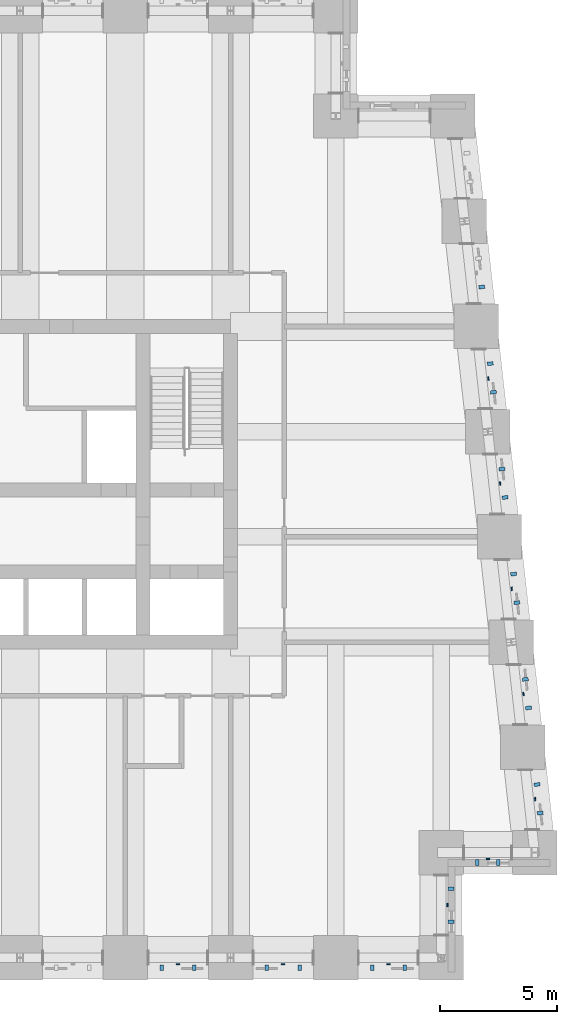
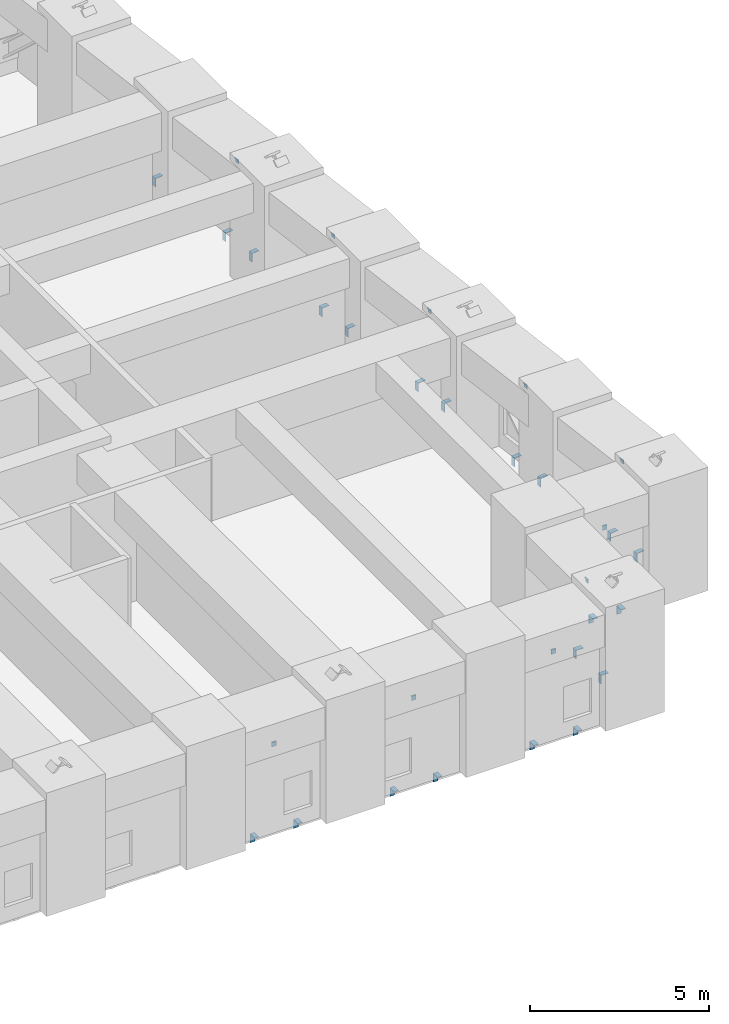
# One storey, part 12 of 16: 31 discrete accessories.
"""IFC4 building model written with IfcOpenShell, lengths in metres."""

import ifcopenshell
import ifcopenshell.guid

model = None  # the IFC model being written
_history = None  # IfcOwnerHistory: only IFC2X3 demands one
_inside = {}  # id of a spatial element -> (the spatial element, [elements in it])
_under = {}  # id of a project, library or spatial element -> (it, [spatial elements below it])
_declared = {}  # id of a project -> (the project, [libraries it declares])
_typed = {}  # id of a type object -> (the type object, [elements of that type])
_made_of = {}  # id of a material, layer set ... -> (it, [elements and type objects made of it])


def new_model(schema):
    """Start an empty IFC model of exactly this schema.

    Asked for "IFC4X3", IfcOpenShell would pick the latest addendum, in which some entities
    have other attributes; the version numbers below select the first issue.
    IFC2X3 requires an IfcOwnerHistory on every rooted entity: one is made here for all.
    """
    global model, _history
    if schema == "IFC4X3":
        model = ifcopenshell.file(schema_version=(4, 3, 0, 0))
    else:
        model = ifcopenshell.file(schema=schema)
    _inside.clear()
    _under.clear()
    _declared.clear()
    _typed.clear()
    _made_of.clear()
    _history = None
    if model.schema == "IFC2X3":
        org = make("IfcOrganization", Name="unknown")
        user = make(
            "IfcPersonAndOrganization",
            ThePerson=make("IfcPerson", FamilyName="unknown"),
            TheOrganization=org,
        )
        app = make(
            "IfcApplication",
            ApplicationDeveloper=org,
            Version="unknown",
            ApplicationFullName="unknown",
            ApplicationIdentifier="unknown",
        )
        _history = make(
            "IfcOwnerHistory",
            OwningUser=user,
            OwningApplication=app,
            ChangeAction="ADDED",
            CreationDate=0,
        )
    return model


def make(cls, **values):
    """One entity of the class cls with the attributes given. An attribute that is None is left unset."""
    return model.create_entity(
        cls, **{name: value for name, value in values.items() if value is not None}
    )


def rooted(cls, **values):
    """An entity with a GlobalId (a new one), such as an element, a storey or a relation."""
    return make(cls, GlobalId=ifcopenshell.guid.new(), OwnerHistory=_history, **values)


def si_unit(unit_type, name, prefix=None):
    """IfcSIUnit, for example si_unit("LENGTHUNIT", "METRE", prefix="MILLI")."""
    return make("IfcSIUnit", UnitType=unit_type, Prefix=prefix, Name=name)


def assignment(units):
    """IfcUnitAssignment: the units of a project."""
    return None if units is None else make("IfcUnitAssignment", Units=units)


def point(xyz):
    """IfcCartesianPoint."""
    return None if xyz is None else make("IfcCartesianPoint", Coordinates=xyz)


def direction(xyz):
    """IfcDirection."""
    return None if xyz is None else make("IfcDirection", DirectionRatios=xyz)


def frame(location, z_axis=None, x_axis=None):
    """IfcAxis2Placement3D, a coordinate frame: its origin and axes. An axis left out is left unset."""
    return make(
        "IfcAxis2Placement3D",
        Location=point(location),
        Axis=direction(z_axis),
        RefDirection=direction(x_axis),
    )


def origin():
    """The frame at (0, 0, 0) with its axes left unset."""
    return frame((0.0, 0.0, 0.0))


def place(relative_to, where):
    """IfcLocalPlacement: puts the frame where relative to a parent placement (None: the world)."""
    return make(
        "IfcLocalPlacement", PlacementRelTo=relative_to, RelativePlacement=where
    )


def context(
    kind, dimensions, precision=None, world=None, true_north=None, identifier=None
):
    """IfcGeometricRepresentationContext, for example the 3D "Model" context."""
    return make(
        "IfcGeometricRepresentationContext",
        ContextIdentifier=identifier,
        ContextType=kind,
        CoordinateSpaceDimension=dimensions,
        Precision=precision,
        WorldCoordinateSystem=world,
        TrueNorth=true_north,
    )


def subcontext(parent, identifier, kind, view, scale=None):
    """IfcGeometricRepresentationSubContext, for example "Body" below "Model"."""
    return make(
        "IfcGeometricRepresentationSubContext",
        ContextIdentifier=identifier,
        ContextType=kind,
        ParentContext=parent,
        TargetScale=scale,
        TargetView=view,
    )


def project(units=None, contexts=None):
    """IfcProject with its units and contexts."""
    return rooted(
        "IfcProject",
        Name="project",
        RepresentationContexts=contexts,
        UnitsInContext=assignment(units),
    )


def spatial(cls, under=None, at=None, **own):
    """A site, building, storey or space (cls), placed at a placement, below another one or the project."""
    s = rooted(cls, ObjectPlacement=at, **own)
    if under is not None:
        _under.setdefault(under.id(), (under, []))[1].append(s)
    return s


def polyline(points):
    """IfcPolyline through the points."""
    return make("IfcPolyline", Points=[point(p) for p in points])


def outline(outer, holes=None, kind="AREA"):
    """IfcArbitraryClosedProfileDef: a profile drawn as a closed curve; with holes, ...WithVoids."""
    if holes is None:
        return make("IfcArbitraryClosedProfileDef", ProfileType=kind, OuterCurve=outer)
    return make(
        "IfcArbitraryProfileDefWithVoids",
        ProfileType=kind,
        OuterCurve=outer,
        InnerCurves=holes,
    )


def extrude(swept, where, along, depth):
    """IfcExtrudedAreaSolid: the profile swept, set in the frame where, extruded along a direction by depth."""
    return make(
        "IfcExtrudedAreaSolid",
        SweptArea=swept,
        Position=where,
        ExtrudedDirection=direction(along),
        Depth=depth,
    )


def shape(context_of_items, identifier, shape_type, items):
    """IfcShapeRepresentation: the items that make up one representation, for example the "Body"."""
    return make(
        "IfcShapeRepresentation",
        ContextOfItems=context_of_items,
        RepresentationIdentifier=identifier,
        RepresentationType=shape_type,
        Items=items,
    )


def source(mapping_origin, context_of_items, identifier, shape_type, items):
    """IfcRepresentationMap: a shape defined once, which mapped items show again and again."""
    return make(
        "IfcRepresentationMap",
        MappingOrigin=mapping_origin,
        MappedRepresentation=shape(context_of_items, identifier, shape_type, items),
    )


def transform(
    local_origin,
    x_axis=None,
    y_axis=None,
    z_axis=None,
    scale=None,
    scale2=None,
    scale3=None,
    uniform=True,
):
    """IfcCartesianTransformationOperator3D, or its non-uniform kind. x_axis, y_axis, z_axis: its Axis1, 2, 3."""
    if uniform:
        return make(
            "IfcCartesianTransformationOperator3D",
            Axis1=direction(x_axis),
            Axis2=direction(y_axis),
            LocalOrigin=point(local_origin),
            Scale=scale,
            Axis3=direction(z_axis),
        )
    return make(
        "IfcCartesianTransformationOperator3DnonUniform",
        Axis1=direction(x_axis),
        Axis2=direction(y_axis),
        LocalOrigin=point(local_origin),
        Scale=scale,
        Axis3=direction(z_axis),
        Scale2=scale2,
        Scale3=scale3,
    )


def mapped(mapping_source, mapping_target):
    """IfcMappedItem: shows the shape of a source again, moved by a transform."""
    return make(
        "IfcMappedItem", MappingSource=mapping_source, MappingTarget=mapping_target
    )


def material(Name=None, Category=None):
    """IfcMaterial."""
    return make("IfcMaterial", Name=Name, Category=Category)


def layer(
    of_material, thickness, ventilated=None, Name=None, Category=None, Priority=None
):
    """IfcMaterialLayer: one layer of a wall or slab, of a material (None: an air gap)."""
    return make(
        "IfcMaterialLayer",
        Material=of_material,
        LayerThickness=thickness,
        IsVentilated=ventilated,
        Name=Name,
        Category=Category,
        Priority=Priority,
    )


def layer_set(layers, Name=None):
    """IfcMaterialLayerSet."""
    return make("IfcMaterialLayerSet", MaterialLayers=layers, LayerSetName=Name)


def made_of(thing, what):
    """Note that an element or type object is made of a material, layer set ...; save() writes the relation."""
    if what is not None:
        _made_of.setdefault(what.id(), (what, []))[1].append(thing)
    return thing


def type_object(cls, material=None, **own):
    """A type object (cls), such as IfcWallType, which elements share."""
    return made_of(rooted(cls, **own), material)


def element(
    cls,
    number,
    at=None,
    inside=None,
    cuts=None,
    type_object=None,
    material=None,
    context=None,
    identifier="Body",
    shape_type=None,
    held_by="IfcProductDefinitionShape",
    body=None,
    shapes=None,
    **own,
):
    """One element of the class cls, such as IfcWall. Its Tag is "e" and its number.

    at: its placement. inside: the storey or other place that contains it. cuts: it is an
    opening in that element (IfcRelVoidsElement). A single representation is given by context,
    identifier, shape_type and body (its items); several are given by shapes. held_by: the class
    of the entity that holds the representations. save() writes the other relations.
    """
    e = rooted(cls, Tag="e%d" % number, ObjectPlacement=at, **own)
    if body is not None:
        shapes = [shape(context, identifier, shape_type, body)]
    if shapes is not None:
        e.Representation = make(held_by, Representations=shapes)
    if inside is not None:
        _inside.setdefault(inside.id(), (inside, []))[1].append(e)
    if cuts is not None:
        rooted(
            "IfcRelVoidsElement", RelatingBuildingElement=cuts, RelatedOpeningElement=e
        )
    if type_object is not None:
        _typed.setdefault(type_object.id(), (type_object, []))[1].append(e)
    return made_of(e, material)


def aggregate(whole, parts):
    """IfcRelAggregates: a whole, such as a stair, and the parts it consists of."""
    return rooted("IfcRelAggregates", RelatingObject=whole, RelatedObjects=parts)


def save(model, path):
    """Write the relations noted so far, then the file.

    IfcRelAggregates (storeys below a building ...), IfcRelContainedInSpatialStructure (elements
    in a storey), IfcRelDefinesByType, IfcRelAssociatesMaterial and IfcRelDeclares: one each for
    every whole, place, type object, material and project.
    """
    for whole, parts in _under.values():
        aggregate(whole, parts)
    for where, things in _inside.values():
        rooted(
            "IfcRelContainedInSpatialStructure",
            RelatedElements=things,
            RelatingStructure=where,
        )
    for kind, things in _typed.values():
        rooted("IfcRelDefinesByType", RelatedObjects=things, RelatingType=kind)
    for what, things in _made_of.values():
        rooted("IfcRelAssociatesMaterial", RelatedObjects=things, RelatingMaterial=what)
    for by, libraries in _declared.values():
        rooted("IfcRelDeclares", RelatingContext=by, RelatedDefinitions=libraries)
    model.write(path)


model = new_model("IFC4")

# Units and contexts
model_context = context("Model", 3, precision=1e-05, world=origin(), true_north=direction((0.0, 1.0)))
body_context = subcontext(model_context, "Body", "Model", "MODEL_VIEW")
ifc_project = project(units=[si_unit("LENGTHUNIT", "METRE"), si_unit("AREAUNIT", "SQUARE_METRE"), si_unit("VOLUMEUNIT", "CUBIC_METRE"), si_unit("PLANEANGLEUNIT", "RADIAN"), si_unit("MASSUNIT", "GRAM", prefix="KILO")], contexts=[model_context])

# Site, building, storey
site_placement = place(None, origin())
site = spatial("IfcSite", under=ifc_project, at=site_placement, CompositionType="ELEMENT")
building_placement = place(site_placement, origin())
building = spatial("IfcBuilding", under=site, at=building_placement, Name="Kilele Tower Hotel", CompositionType="ELEMENT")
storey_placement = place(building_placement, frame((0.0, 0.0, 85.699951171875)))
storey = spatial("IfcBuildingStorey", under=building, at=storey_placement, Name="L21", CompositionType="ELEMENT", Elevation=85.699951171875)

# Discrete accessories
ifc_material_1 = material(Name="Hot-dip galvanized steel S355", Category="steel")
ifc_layer_1 = layer(ifc_material_1, 0.014892578125)
ifc_layer_set_1 = layer_set([ifc_layer_1], Name="Hot-dip galvanized steel S355")
discrete_accessory_type_1 = type_object("IfcDiscreteAccessoryType", Name="Facade panel bearing bracket 250x150x15", PredefinedType="BRACKET", material=ifc_layer_set_1)
shared_shape_1 = source(origin(), body_context, "Body", "SweptSolid", [
    extrude(outline(polyline([(0.0, 0.0), (0.25, 0.0), (0.25, -0.014892578125), (0.014892578125, -0.014892578125), (0.014892578125, -0.300048828125), (0.0, -0.300048828125), (0.0, 0.0)])), origin(), (0.0, 0.0, 1.0), 0.14990234375),
])
for number, where, z_axis, x_axis, name in (
    (1, (33.125, -0.300048828125, 0.0), (-1.0, 0.0, 0.0), (0.0, -1.0, 0.0), "Facade panel bearing bracket L21"),
    (2, (34.52490234375, -0.300048828125, 0.0), (-1.0, 0.0, 0.0), (0.0, -1.0, 0.0), "Facade panel bearing bracket L21"),
    (3, (37.625, -0.300048828125, 0.0), (-1.0, 0.0, 0.0), (0.0, -1.0, 0.0), "Facade panel bearing bracket L21"),
    (4, (39.02490234375, -0.300048828125, 0.0), (-1.0, 0.0, 0.0), (0.0, -1.0, 0.0), "Facade panel bearing bracket L21"),
    (5, (42.125, -0.300048828125, 0.0), (-1.0, 0.0, 0.0), (0.0, -1.0, 0.0), "Facade panel bearing bracket L21"),
    (6, (43.52490234375, -0.300048828125, 0.0), (-1.0, 0.0, 0.0), (0.0, -1.0, 0.0), "Facade panel bearing bracket L21"),
    (7, (45.300048828125, 1.625, 0.0), (0.0, -1.0, 0.0), (1.0, 0.0, 0.0), "Facade panel bearing bracket L21"),
    (8, (45.300048828125, 3.02490234375, 0.0), (0.0, -1.0, 0.0), (1.0, 0.0, 0.0), "Facade panel bearing bracket L21"),
    (9, (46.625, 4.199951171875, 0.0), (-1.0, 0.0, 0.0), (0.0, -1.0, 0.0), "Facade panel bearing bracket L21"),
    (10, (47.52490234375, 4.199951171875, 0.0), (-1.0, 0.0, 0.0), (0.0, -1.0, 0.0), "Facade panel bearing bracket L21"),
    (11, (49.10791015625, 6.24658203125, 0.0), (0.110432, -0.993884, 0.0), (0.993884, 0.110432, 0.0), "Facade panel bearing bracket L21"),
    (12, (48.971923828125, 7.46875, 0.0), (0.110432, -0.993884, 0.0), (0.993884, 0.110432, 0.0), "Facade panel bearing bracket L21"),
    (13, (48.60791015625, 10.74658203125, 0.0), (0.110432, -0.993884, 0.0), (0.993884, 0.110432, 0.0), "Facade panel bearing bracket L21"),
    (14, (48.471923828125, 11.96875, 0.0), (0.110432, -0.993884, 0.0), (0.993884, 0.110432, 0.0), "Facade panel bearing bracket L21"),
    (15, (48.10791015625, 15.24658203125, 0.0), (0.110432, -0.993884, 0.0), (0.993884, 0.110432, 0.0), "Facade panel bearing bracket L21"),
    (16, (47.971923828125, 16.46875, 0.0), (0.110432, -0.993884, 0.0), (0.993884, 0.110432, 0.0), "Facade panel bearing bracket L21"),
    (17, (47.60791015625, 19.74658203125, 0.0), (0.110432, -0.993884, 0.0), (0.993884, 0.110432, 0.0), "Facade panel bearing bracket L21"),
    (18, (47.471923828125, 20.96875, 0.0), (0.110432, -0.993884, 0.0), (0.993884, 0.110432, 0.0), "Facade panel bearing bracket L21"),
    (19, (47.10791015625, 24.24658203125, 0.0), (0.110432, -0.993884, 0.0), (0.993884, 0.110432, 0.0), "Facade panel bearing bracket L21"),
    (20, (46.971923828125, 25.46875, 0.0), (0.110432, -0.993884, 0.0), (0.993884, 0.110432, 0.0), "Facade panel bearing bracket L21"),
    (21, (46.60791015625, 28.74658203125, 0.0), (0.110432, -0.993884, 0.0), (0.993884, 0.110432, 0.0), "Facade panel bearing bracket L21"),
):
    element("IfcDiscreteAccessory", number, at=place(storey_placement, frame(where, z_axis=z_axis, x_axis=x_axis)), inside=storey, type_object=discrete_accessory_type_1, Name=name, PredefinedType="BRACKET", context=body_context, shape_type="MappedRepresentation", body=[
        mapped(shared_shape_1, transform((0.0, 0.0, 0.0))),
    ])
ifc_material_2 = material(Name="Hot-dip galvanized steel S355", Category="steel")
ifc_layer_2 = layer(ifc_material_2, 0.011962890625)
ifc_layer_set_2 = layer_set([ifc_layer_2], Name="Hot-dip galvanized steel S355")
discrete_accessory_type_2 = type_object("IfcDiscreteAccessoryType", Name="Facade panel restraint bracket 150x50x12", PredefinedType="BRACKET", material=ifc_layer_set_2)
shared_shape_2 = source(origin(), body_context, "Body", "SweptSolid", [
    extrude(outline(polyline([(0.0, 0.0), (0.0, -0.14990234375), (-0.011962890625, -0.14990234375), (-0.011962890625, -0.011962890625), (-0.050048828125, -0.011962890625), (-0.050048828125, 0.0), (0.0, 0.0)])), origin(), (0.0, 0.0, 1.0), 0.14990234375),
])
for number, where, z_axis, x_axis, name in (
    (22, (33.824951171875, -0.300048828125, 2.85009765625), (-1.0, 0.0, 0.0), (0.0, -1.0, 0.0), "Facade panel restraint bracket L21"),
    (23, (38.324951171875, -0.300048828125, 2.85009765625), (-1.0, 0.0, 0.0), (0.0, -1.0, 0.0), "Facade panel restraint bracket L21"),
    (24, (42.824951171875, -0.300048828125, 2.85009765625), (-1.0, 0.0, 0.0), (0.0, -1.0, 0.0), "Facade panel restraint bracket L21"),
    (25, (45.300048828125, 2.324951171875, 2.85009765625), (0.0, -1.0, 0.0), (1.0, 0.0, 0.0), "Facade panel restraint bracket L21"),
    (26, (47.074951171875, 4.199951171875, 2.85009765625), (-1.0, 0.0, 0.0), (0.0, -1.0, 0.0), "Facade panel restraint bracket L21"),
    (27, (49.039794921875, 6.857666015625, 2.85009765625), (0.110432, -0.993884, 0.0), (0.993884, 0.110432, 0.0), "Facade panel restraint bracket L21"),
    (28, (48.539794921875, 11.357666015625, 2.85009765625), (0.110432, -0.993884, 0.0), (0.993884, 0.110432, 0.0), "Facade panel restraint bracket L21"),
    (29, (48.039794921875, 15.857666015625, 2.85009765625), (0.110432, -0.993884, 0.0), (0.993884, 0.110432, 0.0), "Facade panel restraint bracket L21"),
    (30, (47.539794921875, 20.357666015625, 2.85009765625), (0.110432, -0.993884, 0.0), (0.993884, 0.110432, 0.0), "Facade panel restraint bracket L21"),
    (31, (47.039794921875, 24.857666015625, 2.85009765625), (0.110432, -0.993884, 0.0), (0.993884, 0.110432, 0.0), "Facade panel restraint bracket L21"),
):
    element("IfcDiscreteAccessory", number, at=place(storey_placement, frame(where, z_axis=z_axis, x_axis=x_axis)), inside=storey, type_object=discrete_accessory_type_2, Name=name, PredefinedType="BRACKET", context=body_context, shape_type="MappedRepresentation", body=[
        mapped(shared_shape_2, transform((0.0, 0.0, 0.0))),
    ])

save(model, "model.ifc")
